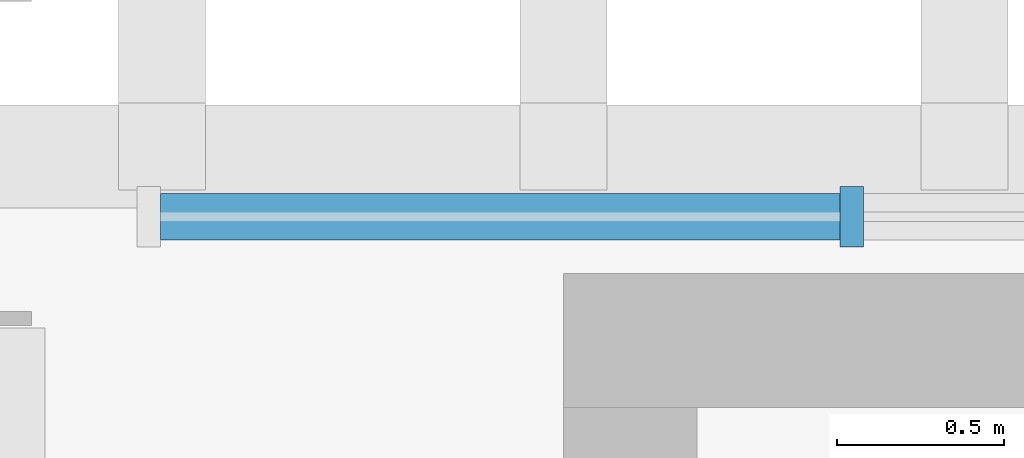
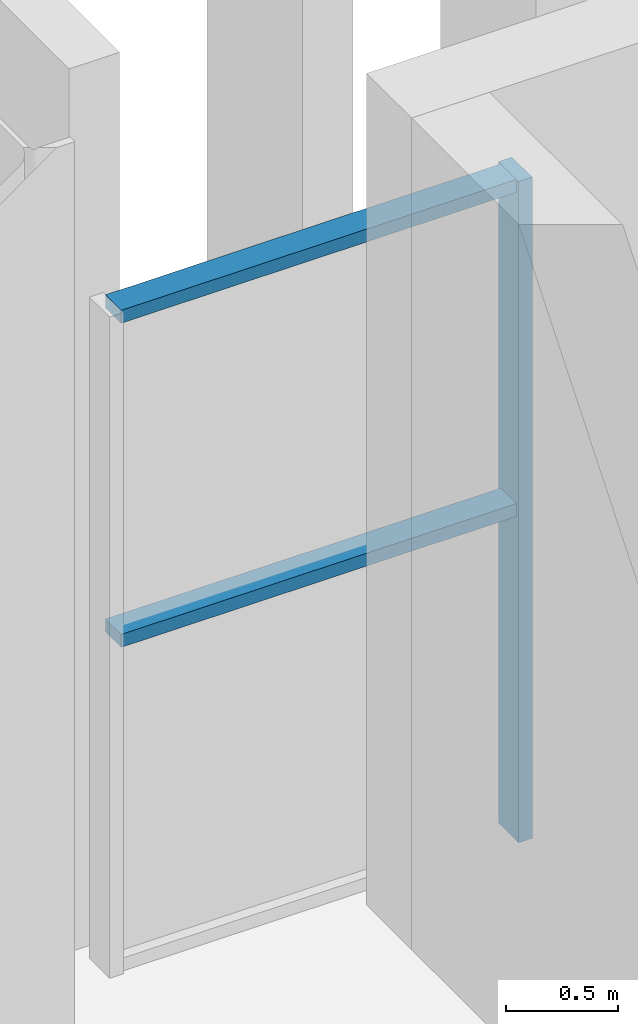
# One storey, part 35 of 99: 3 members, 1 element without a shape of its own.
"""IFC4 building model written with IfcOpenShell, lengths in metres."""

from ifc_helpers import new_model, si_unit, direction, frame, origin, origin_2d, place, context, subcontext, project, spatial, rectangle, extrude, material, layer, layer_set, material_profile, profile_set, type_object, element, aggregate, save


model = new_model("IFC4")

# Units and contexts
model_context = context("Model", 3, precision=1e-05, world=origin(), true_north=direction((0.0, 1.0)))
body_context = subcontext(model_context, "Body", "Model", "MODEL_VIEW")
ifc_project = project(units=[si_unit("LENGTHUNIT", "METRE"), si_unit("AREAUNIT", "SQUARE_METRE"), si_unit("VOLUMEUNIT", "CUBIC_METRE"), si_unit("PLANEANGLEUNIT", "RADIAN"), si_unit("MASSUNIT", "GRAM", prefix="KILO")], contexts=[model_context])

# Site, building, storey
site_placement = place(None, origin())
site = spatial("IfcSite", under=ifc_project, at=site_placement, CompositionType="ELEMENT")
building_placement = place(site_placement, origin())
building = spatial("IfcBuilding", under=site, at=building_placement, Name="Caelomonte Colonnade Arena", CompositionType="ELEMENT")
storey_placement = place(building_placement, frame((0.0, 0.0, 4.800048828125)))
storey = spatial("IfcBuildingStorey", under=building, at=storey_placement, Name="L01", CompositionType="ELEMENT", Elevation=4.800048828125)

# Curtain wall, members
ifc_material_1 = material(Name="Bronze anodised aluminium and low-E glazing", Category="aluminium")
ifc_layer = layer(ifc_material_1, 0.179931640625)
ifc_layer_set = layer_set([ifc_layer], Name="Bronze anodised aluminium and low-E glazing")
curtain_wall_type = type_object("IfcCurtainWallType", Name="ENV-CW-CW-L01-96-36", PredefinedType="USERDEFINED", material=ifc_layer_set)
curtain_wall_placement = place(storey_placement, origin())
curtain_wall = element("IfcCurtainWall", 1, at=curtain_wall_placement, inside=storey, type_object=curtain_wall_type, Name="L01 unitized curtain wall CW-L01-1296-1150", ObjectType="UNITIZED CURTAIN WALL", PredefinedType="USERDEFINED")
ifc_material_2 = material(Name="Bronze anodised aluminium AA6063-T6", Category="aluminium")
ifc_material_profile_1 = material_profile(ifc_material_2, rectangle(XDim=0.070068359375, YDim=0.179931640625, at=origin_2d()), Name="CWM-70X180")
ifc_profile_set_1 = profile_set([ifc_material_profile_1], Name="Bronze anodised aluminium AA6063-T6")
member_type_1 = type_object("IfcMemberType", Name="ENV-CW-MULL1", PredefinedType="MULLION", material=ifc_profile_set_1)
member_1_placement = place(storey_placement, frame((127.462646484375, 115.02001953125, 0.0), z_axis=(0.0, 0.0, 1.0), x_axis=(-1.0, 0.0, 0.0)))
member_1 = element("IfcMember", 2, at=member_1_placement, type_object=member_type_1, Name="CW-L01-96-36 mullion 4", PredefinedType="MULLION", context=body_context, shape_type="SweptSolid", body=[
    extrude(rectangle(XDim=0.070068359375, YDim=0.179931640625, at=origin_2d()), origin(), (0.0, 0.0, 1.0), 3.593017578125),
])
ifc_material_profile_2 = material_profile(ifc_material_2, rectangle(XDim=0.070068359375, YDim=0.139892578125, at=origin_2d()), Name="CWT-70X140")
ifc_profile_set_2 = profile_set([ifc_material_profile_2], Name="Bronze anodised aluminium AA6063-T6")
member_type_2 = type_object("IfcMemberType", Name="ENV-CW-TRAN1", PredefinedType="USERDEFINED", material=ifc_profile_set_2)
member_2_placement = place(storey_placement, frame((127.427734375, 115.02001953125, 1.79638671875), z_axis=(-1.0, 0.0, 0.0), x_axis=(0.0, 0.0, 1.0)))
member_2 = element("IfcMember", 3, at=member_2_placement, type_object=member_type_2, Name="CW-L01-96-36 transom 4.2", ObjectType="TRANSOM", PredefinedType="USERDEFINED", context=body_context, shape_type="SweptSolid", body=[
    extrude(rectangle(XDim=0.070068359375, YDim=0.139892578125, at=origin_2d()), origin(), (0.0, 0.0, 1.0), 2.0322265625),
])
member_3_placement = place(storey_placement, frame((127.427734375, 115.02001953125, 3.557861328125), z_axis=(-1.0, 0.0, 0.0), x_axis=(0.0, 0.0, 1.0)))
member_3 = element("IfcMember", 4, at=member_3_placement, type_object=member_type_2, Name="CW-L01-96-36 transom 4.3", ObjectType="TRANSOM", PredefinedType="USERDEFINED", context=body_context, shape_type="SweptSolid", body=[
    extrude(rectangle(XDim=0.070068359375, YDim=0.139892578125, at=origin_2d()), origin(), (0.0, 0.0, 1.0), 2.0322265625),
])
aggregate(curtain_wall, [member_1, member_2, member_3])

save(model, "model.ifc")
